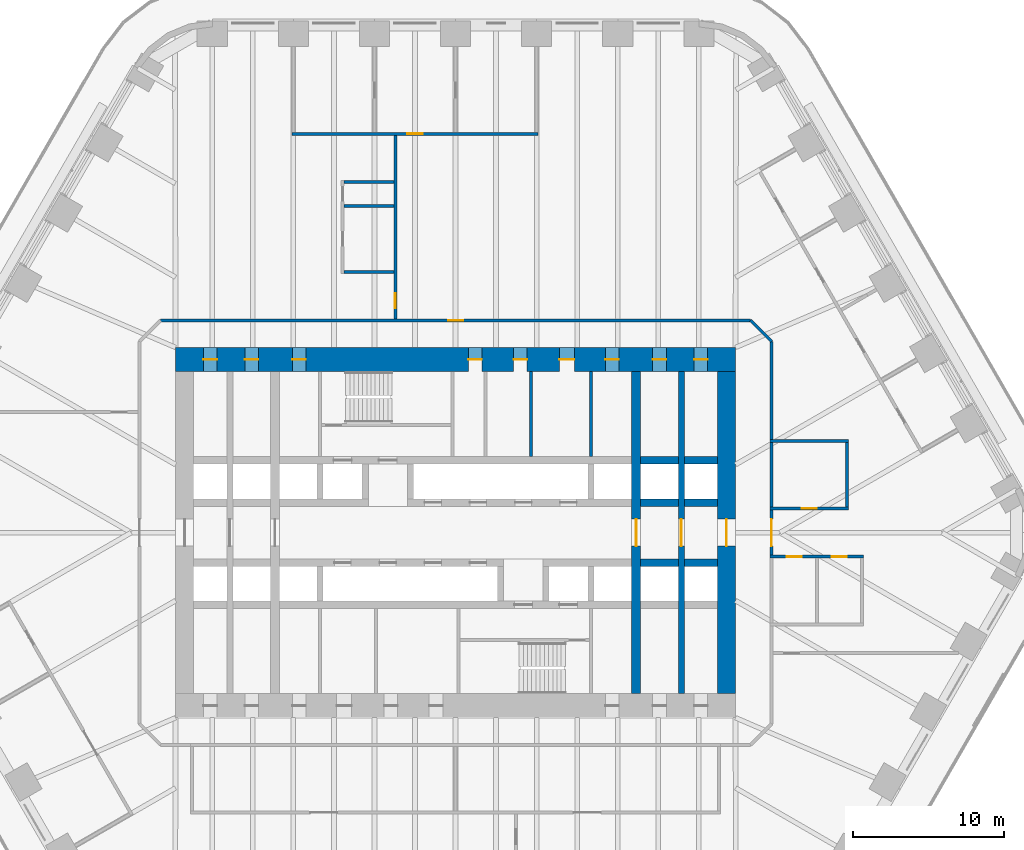
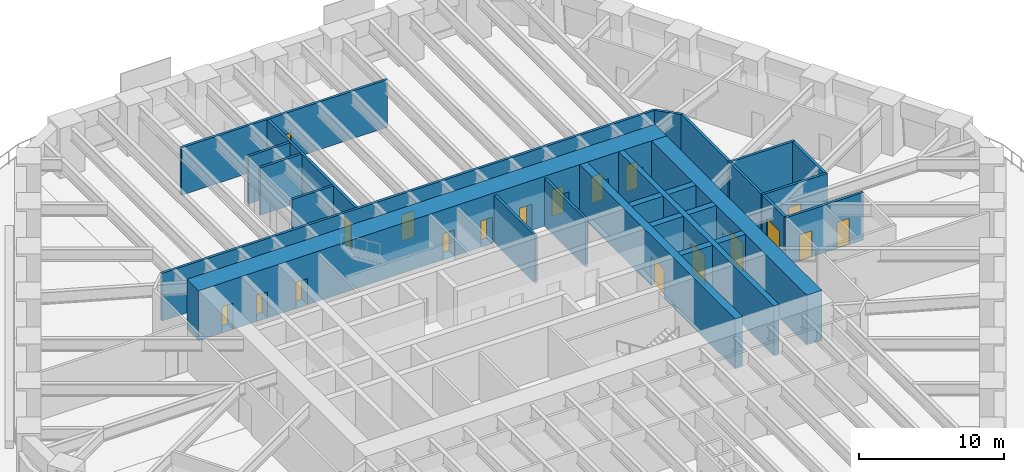
# One storey, part 19 of 24: 26 walls, 19 doors, 19 openings.
"""IFC4 building model written with IfcOpenShell, lengths in metres."""

from ifc_helpers import new_model, si_unit, direction, frame, frame_2d, origin, place, context, subcontext, project, spatial, rectangle, extrude, material, layer, layer_set, type_object, element, fill, save


model = new_model("IFC4")

# Units and contexts
model_context = context("Model", 3, precision=1e-05, world=origin(), true_north=direction((0.0, 1.0)))
body_context = subcontext(model_context, "Body", "Model", "MODEL_VIEW")
ifc_project = project(units=[si_unit("LENGTHUNIT", "METRE"), si_unit("AREAUNIT", "SQUARE_METRE"), si_unit("VOLUMEUNIT", "CUBIC_METRE"), si_unit("PLANEANGLEUNIT", "RADIAN"), si_unit("MASSUNIT", "GRAM", prefix="KILO")], contexts=[model_context])

# Site, building, storey
site_placement = place(None, origin())
site = spatial("IfcSite", under=ifc_project, at=site_placement, CompositionType="ELEMENT")
building_placement = place(site_placement, origin())
building = spatial("IfcBuilding", under=site, at=building_placement, Name="Tarfa Lantern Tower", CompositionType="ELEMENT")
storey_placement = place(building_placement, frame((0.0, 0.0, 69.699951171875)))
storey = spatial("IfcBuildingStorey", under=building, at=storey_placement, Name="L15", CompositionType="ELEMENT", Elevation=69.699951171875)

# Walls
ifc_material_1 = material(Name="Concrete blockwork", Category="masonry")
ifc_layer_1 = layer(ifc_material_1, 0.199951171875)
ifc_layer_set_1 = layer_set([ifc_layer_1], Name="IW1 BLOCKWORK PARTITION 200 EI 120")
wall_type_1 = type_object("IfcWallType", Name="IW1 BLOCKWORK PARTITION 200 EI 120", PredefinedType="PARTITIONING", material=ifc_layer_set_1)
for number, where, z_axis, x_axis, name in (
    (1, (9.0, 5.050048828125, 0.0), (0.0, 0.0, 1.0), (0.0, 1.0, 0.0), "Core partition"),
    (2, (5.0, 5.050048828125, 0.0), (0.0, 0.0, 1.0), (0.0, 1.0, 0.0), "Core partition"),
):
    element("IfcWall", number, at=place(storey_placement, frame(where, z_axis=z_axis, x_axis=x_axis)), inside=storey, type_object=wall_type_1, Name=name, PredefinedType="PARTITIONING", context=body_context, shape_type="SweptSolid", body=[
        extrude(rectangle(XDim=5.64990234375, YDim=0.199951171875, at=frame_2d((2.824951171875, 0.0))), origin(), (0.0, 0.0, 1.0), 4.0),
    ])

# Wall, opening, door
ifc_material_2 = material(Name="Gypsum board on steel studs", Category="steel")
ifc_layer_2 = layer(ifc_material_2, 0.2099609375)
ifc_layer_set_2 = layer_set([ifc_layer_2], Name="IW2 ACOUSTIC PARTITION 200")
wall_type_2 = type_object("IfcWallType", Name="IW2 ACOUSTIC PARTITION 200", PredefinedType="PARTITIONING", material=ifc_layer_set_2)
wall_1_placement = place(storey_placement, frame((5.488525390625, 26.5, 0.0), z_axis=(0.0, 0.0, 1.0), x_axis=(-1.0, 0.0, 0.0)))
wall_1 = element("IfcWall", 3, at=wall_1_placement, inside=storey, type_object=wall_type_2, Name="Partition", PredefinedType="PARTITIONING", context=body_context, shape_type="SweptSolid", body=[
    extrude(rectangle(XDim=16.36572265625, YDim=0.199951171875, at=frame_2d((8.182861328125, 0.0))), origin(), (0.0, 0.0, 1.0), 4.0),
])
opening_1_placement = place(wall_1_placement, frame((7.682861328125, 0.0, 0.0)))
opening_1 = element("IfcOpeningElement", 4, at=opening_1_placement, cuts=wall_1, Name="Opening D33", PredefinedType="OPENING", context=body_context, shape_type="SweptSolid", body=[
    extrude(rectangle(XDim=1.0, YDim=2.199951171875, at=frame_2d((0.5, 1.10009765625))), frame((0.0, 0.10986328125, 0.0), z_axis=(0.0, -1.0, 0.0), x_axis=(1.0, 0.0, 0.0)), (0.0, 0.0, 1.0), 0.219970703125),
])
ifc_material_3 = material(Name="Timber door", Category="wood")
door_type_1 = type_object("IfcDoorType", Name="DR1 ROOM DOOR 1000x2200", OperationType="SINGLE_SWING_LEFT", PredefinedType="DOOR", material=ifc_material_3)
door_1_placement = place(opening_1_placement, frame((1.0, 0.0, 0.0), z_axis=(0.0, 0.0, 1.0), x_axis=(-1.0, 0.0, 0.0)))
door_1 = element("IfcDoor", 5, at=door_1_placement, inside=storey, type_object=door_type_1, Name="Supplier reception door", OperationType="SINGLE_SWING_LEFT", OverallHeight=2.199951171875, OverallWidth=1.0, PredefinedType="DOOR", context=body_context, shape_type="SweptSolid", body=[
    extrude(rectangle(XDim=1.0, YDim=2.199951171875, at=frame_2d((0.5, 1.10009765625))), frame((0.0, 0.02490234375, 0.0), z_axis=(0.0, -1.0, 0.0), x_axis=(1.0, 0.0, 0.0)), (0.0, 0.0, 1.0), 0.050048828125),
])
fill(opening_1, door_1)

wall_2_placement = place(storey_placement, frame((20.89990234375, 1.60009765625, 0.0), z_axis=(0.0, 0.0, 1.0), x_axis=(1.0, 0.0, 0.0)))
wall_2 = element("IfcWall", 6, at=wall_2_placement, inside=storey, type_object=wall_type_2, Name="Partition", PredefinedType="PARTITIONING", context=body_context, shape_type="SweptSolid", body=[
    extrude(rectangle(XDim=5.2001953125, YDim=0.199951171875, at=frame_2d((2.60009765625, 0.0))), origin(), (0.0, 0.0, 1.0), 4.0),
])
opening_2_placement = place(wall_2_placement, frame((2.10009765625, 0.0, 0.0)))
opening_2 = element("IfcOpeningElement", 7, at=opening_2_placement, cuts=wall_2, Name="Opening D29", PredefinedType="OPENING", context=body_context, shape_type="SweptSolid", body=[
    extrude(rectangle(XDim=1.0, YDim=2.199951171875, at=frame_2d((0.5, 1.10009765625))), frame((0.0, 0.10986328125, 0.0), z_axis=(0.0, -1.0, 0.0), x_axis=(1.0, 0.0, 0.0)), (0.0, 0.0, 1.0), 0.219970703125),
])
door_2_placement = place(opening_2_placement, origin())
door_2 = element("IfcDoor", 8, at=door_2_placement, inside=storey, type_object=door_type_1, Name="Pantry door", OperationType="SINGLE_SWING_RIGHT", OverallHeight=2.199951171875, OverallWidth=1.0, PredefinedType="DOOR", context=body_context, shape_type="SweptSolid", body=[
    extrude(rectangle(XDim=1.0, YDim=2.199951171875, at=frame_2d((0.5, 1.10009765625))), frame((0.0, 0.02490234375, 0.0), z_axis=(0.0, -1.0, 0.0), x_axis=(1.0, 0.0, 0.0)), (0.0, 0.0, 1.0), 0.050048828125),
])
fill(opening_2, door_2)

# Walls
wall_3_placement = place(storey_placement, frame((20.89990234375, 6.10009765625, 0.0), z_axis=(0.0, 0.0, 1.0), x_axis=(1.0, 0.0, 0.0)))
element("IfcWall", 9, at=wall_3_placement, inside=storey, type_object=wall_type_2, Name="Partition", PredefinedType="PARTITIONING", context=body_context, shape_type="SweptSolid", body=[
    extrude(rectangle(XDim=5.2001953125, YDim=0.199951171875, at=frame_2d((2.60009765625, 0.0))), origin(), (0.0, 0.0, 1.0), 4.0),
])
for number, where, z_axis, x_axis, name in (
    (10, (21.0, 1.699951171875, 0.0), (0.0, 0.0, 1.0), (0.0, 1.0, 0.0), "Partition"),
    (11, (26.0, 1.699951171875, 0.0), (0.0, 0.0, 1.0), (0.0, 1.0, 0.0), "Partition"),
):
    element("IfcWall", number, at=place(storey_placement, frame(where, z_axis=z_axis, x_axis=x_axis)), inside=storey, type_object=wall_type_2, Name=name, PredefinedType="PARTITIONING", context=body_context, shape_type="SweptSolid", body=[
        extrude(rectangle(XDim=4.300048828125, YDim=0.199951171875, at=frame_2d((2.14990234375, 0.0))), origin(), (0.0, 0.0, 1.0), 4.0),
    ])

# Wall, openings, doors
wall_4_placement = place(storey_placement, frame((20.89990234375, -1.60009765625, 0.0), z_axis=(0.0, 0.0, 1.0), x_axis=(1.0, 0.0, 0.0)))
wall_4 = element("IfcWall", 12, at=wall_4_placement, inside=storey, type_object=wall_type_2, Name="Partition", PredefinedType="PARTITIONING", context=body_context, shape_type="SweptSolid", body=[
    extrude(rectangle(XDim=6.2001953125, YDim=0.199951171875, at=frame_2d((3.10009765625, 0.0))), origin(), (0.0, 0.0, 1.0), 4.0),
])
opening_3_placement = place(wall_4_placement, frame((1.10009765625, 0.0, 0.0)))
opening_3 = element("IfcOpeningElement", 13, at=opening_3_placement, cuts=wall_4, Name="Opening D30", PredefinedType="OPENING", context=body_context, shape_type="SweptSolid", body=[
    extrude(rectangle(XDim=1.0, YDim=2.199951171875, at=frame_2d((0.5, 1.10009765625))), frame((0.0, 0.10986328125, 0.0), z_axis=(0.0, -1.0, 0.0), x_axis=(1.0, 0.0, 0.0)), (0.0, 0.0, 1.0), 0.219970703125),
])
opening_4_placement = place(wall_4_placement, frame((4.10009765625, 0.0, 0.0)))
opening_4 = element("IfcOpeningElement", 14, at=opening_4_placement, cuts=wall_4, Name="Opening D31", PredefinedType="OPENING", context=body_context, shape_type="SweptSolid", body=[
    extrude(rectangle(XDim=1.0, YDim=2.199951171875, at=frame_2d((0.5, 1.10009765625))), frame((0.0, 0.10986328125, 0.0), z_axis=(0.0, -1.0, 0.0), x_axis=(1.0, 0.0, 0.0)), (0.0, 0.0, 1.0), 0.219970703125),
])
door_3_placement = place(opening_3_placement, frame((1.0, 0.0, 0.0), z_axis=(0.0, 0.0, 1.0), x_axis=(-1.0, 0.0, 0.0)))
door_3 = element("IfcDoor", 15, at=door_3_placement, inside=storey, type_object=door_type_1, Name="Buyer's office door", OperationType="SINGLE_SWING_LEFT", OverallHeight=2.199951171875, OverallWidth=1.0, PredefinedType="DOOR", context=body_context, shape_type="SweptSolid", body=[
    extrude(rectangle(XDim=1.0, YDim=2.199951171875, at=frame_2d((0.5, 1.10009765625))), frame((0.0, 0.02490234375, 0.0), z_axis=(0.0, -1.0, 0.0), x_axis=(1.0, 0.0, 0.0)), (0.0, 0.0, 1.0), 0.050048828125),
])
fill(opening_3, door_3)
door_4_placement = place(opening_4_placement, frame((1.0, 0.0, 0.0), z_axis=(0.0, 0.0, 1.0), x_axis=(-1.0, 0.0, 0.0)))
door_4 = element("IfcDoor", 16, at=door_4_placement, inside=storey, type_object=door_type_1, Name="Buyer's office door", OperationType="SINGLE_SWING_RIGHT", OverallHeight=2.199951171875, OverallWidth=1.0, PredefinedType="DOOR", context=body_context, shape_type="SweptSolid", body=[
    extrude(rectangle(XDim=1.0, YDim=2.199951171875, at=frame_2d((0.5, 1.10009765625))), frame((0.0, 0.02490234375, 0.0), z_axis=(0.0, -1.0, 0.0), x_axis=(1.0, 0.0, 0.0)), (0.0, 0.0, 1.0), 0.050048828125),
])
fill(opening_4, door_4)

# Wall, opening, door
wall_5_placement = place(storey_placement, frame((-19.60009765625, 14.10009765625, 0.0), z_axis=(0.0, 0.0, 1.0), x_axis=(1.0, 0.0, 0.0)))
wall_5 = element("IfcWall", 17, at=wall_5_placement, inside=storey, type_object=wall_type_2, Name="Partition", PredefinedType="PARTITIONING", context=body_context, shape_type="SweptSolid", body=[
    extrude(rectangle(XDim=39.2001953125, YDim=0.199951171875, at=frame_2d((19.60009765625, 0.0))), origin(), (0.0, 0.0, 1.0), 4.0),
])
opening_5_placement = place(wall_5_placement, frame((19.10009765625, 0.0, 0.0)))
opening_5 = element("IfcOpeningElement", 18, at=opening_5_placement, cuts=wall_5, Name="Opening D48", PredefinedType="OPENING", context=body_context, shape_type="SweptSolid", body=[
    extrude(rectangle(XDim=1.0, YDim=2.199951171875, at=frame_2d((0.5, 1.10009765625))), frame((0.0, 0.10986328125, 0.0), z_axis=(0.0, -1.0, 0.0), x_axis=(1.0, 0.0, 0.0)), (0.0, 0.0, 1.0), 0.219970703125),
])
door_5_placement = place(opening_5_placement, origin())
door_5 = element("IfcDoor", 19, at=door_5_placement, inside=storey, type_object=door_type_1, Name="Corridor door", OperationType="SINGLE_SWING_RIGHT", OverallHeight=2.199951171875, OverallWidth=1.0, PredefinedType="DOOR", context=body_context, shape_type="SweptSolid", body=[
    extrude(rectangle(XDim=1.0, YDim=2.199951171875, at=frame_2d((0.5, 1.10009765625))), frame((0.0, 0.02490234375, 0.0), z_axis=(0.0, -1.0, 0.0), x_axis=(1.0, 0.0, 0.0)), (0.0, 0.0, 1.0), 0.050048828125),
])
fill(opening_5, door_5)

# Wall
wall_6_placement = place(storey_placement, frame((19.60009765625, 14.10009765625, 0.0), z_axis=(0.0, 0.0, 1.0), x_axis=(0.707045124756, -0.707168432242, 0.0)))
element("IfcWall", 20, at=wall_6_placement, inside=storey, type_object=wall_type_2, Name="Partition", PredefinedType="PARTITIONING", context=body_context, shape_type="SweptSolid", body=[
    extrude(rectangle(XDim=1.97998046875, YDim=0.199951171875, at=frame_2d((0.989990234375, 0.0))), origin(), (0.0, 0.0, 1.0), 4.0),
])

# Wall, opening, door
wall_7_placement = place(storey_placement, frame((21.0, 1.4990234375, 0.0), z_axis=(0.0, 0.0, 1.0), x_axis=(0.0, -1.0, 0.0)))
wall_7 = element("IfcWall", 21, at=wall_7_placement, inside=storey, type_object=wall_type_2, Name="Partition", PredefinedType="PARTITIONING", context=body_context, shape_type="SweptSolid", body=[
    extrude(rectangle(XDim=2.998046875, YDim=0.199951171875, at=frame_2d((1.4990234375, 0.0))), origin(), (0.0, 0.0, 1.0), 4.0),
])
opening_6_placement = place(wall_7_placement, frame((0.59912109375, 0.0, 0.0)))
opening_6 = element("IfcOpeningElement", 22, at=opening_6_placement, cuts=wall_7, Name="Opening D47", PredefinedType="OPENING", context=body_context, shape_type="SweptSolid", body=[
    extrude(rectangle(XDim=1.800048828125, YDim=2.39990234375, at=frame_2d((0.89990234375, 1.199951171875))), frame((0.0, 0.10986328125, 0.0), z_axis=(0.0, -1.0, 0.0), x_axis=(1.0, 0.0, 0.0)), (0.0, 0.0, 1.0), 0.219970703125),
])
door_type_2 = type_object("IfcDoorType", Name="DR2 ROOM DOOR 1800x2400", OperationType="DOUBLE_DOOR_SINGLE_SWING", PredefinedType="DOOR", material=ifc_material_3)
door_6_placement = place(opening_6_placement, origin())
door_6 = element("IfcDoor", 23, at=door_6_placement, inside=storey, type_object=door_type_2, Name="Corridor door", OperationType="DOUBLE_DOOR_SINGLE_SWING", OverallHeight=2.39990234375, OverallWidth=1.800048828125, PredefinedType="DOOR", context=body_context, shape_type="SweptSolid", body=[
    extrude(rectangle(XDim=1.800048828125, YDim=2.39990234375, at=frame_2d((0.89990234375, 1.199951171875))), frame((0.0, 0.02490234375, 0.0), z_axis=(0.0, -1.0, 0.0), x_axis=(1.0, 0.0, 0.0)), (0.0, 0.0, 1.0), 0.050048828125),
])
fill(opening_6, door_6)

# Wall
wall_8_placement = place(storey_placement, frame((21.0, 12.699951171875, 0.0), z_axis=(0.0, 0.0, 1.0), x_axis=(0.0, -1.0, 0.0)))
element("IfcWall", 24, at=wall_8_placement, inside=storey, type_object=wall_type_2, Name="Partition", PredefinedType="PARTITIONING", context=body_context, shape_type="SweptSolid", body=[
    extrude(rectangle(XDim=6.4990234375, YDim=0.199951171875, at=frame_2d((3.24951171875, 0.0))), origin(), (0.0, 0.0, 1.0), 4.0),
])

# Wall, opening, door
wall_9_placement = place(storey_placement, frame((-4.0, 14.199951171875, 0.0), z_axis=(0.0, 0.0, 1.0), x_axis=(0.0, 1.0, 0.0)))
wall_9 = element("IfcWall", 25, at=wall_9_placement, inside=storey, type_object=wall_type_2, Name="Partition", PredefinedType="PARTITIONING", context=body_context, shape_type="SweptSolid", body=[
    extrude(rectangle(XDim=12.199951171875, YDim=0.199951171875, at=frame_2d((6.10009765625, 0.0))), origin(), (0.0, 0.0, 1.0), 4.0),
])
opening_7_placement = place(wall_9_placement, frame((0.719970703125, 0.0, 0.0)))
opening_7 = element("IfcOpeningElement", 26, at=opening_7_placement, cuts=wall_9, Name="Opening D51", PredefinedType="OPENING", context=body_context, shape_type="SweptSolid", body=[
    extrude(rectangle(XDim=1.0, YDim=2.199951171875, at=frame_2d((0.5, 1.10009765625))), frame((0.0, 0.10986328125, 0.0), z_axis=(0.0, -1.0, 0.0), x_axis=(1.0, 0.0, 0.0)), (0.0, 0.0, 1.0), 0.219970703125),
])
door_7_placement = place(opening_7_placement, origin())
door_7 = element("IfcDoor", 27, at=door_7_placement, inside=storey, type_object=door_type_1, Name="Zone door", OperationType="SINGLE_SWING_RIGHT", OverallHeight=2.199951171875, OverallWidth=1.0, PredefinedType="DOOR", context=body_context, shape_type="SweptSolid", body=[
    extrude(rectangle(XDim=1.0, YDim=2.199951171875, at=frame_2d((0.5, 1.10009765625))), frame((0.0, 0.02490234375, 0.0), z_axis=(0.0, -1.0, 0.0), x_axis=(1.0, 0.0, 0.0)), (0.0, 0.0, 1.0), 0.050048828125),
])
fill(opening_7, door_7)

# Walls
for number, where, z_axis, x_axis, name in (
    (28, (-4.10009765625, 17.300048828125, 0.0), (0.0, 0.0, 1.0), (-1.0, 0.0, 0.0), "Partition"),
    (29, (-4.10009765625, 21.699951171875, 0.0), (0.0, 0.0, 1.0), (-1.0, 0.0, 0.0), "Partition"),
    (30, (-4.10009765625, 23.300048828125, 0.0), (0.0, 0.0, 1.0), (-1.0, 0.0, 0.0), "Partition"),
):
    element("IfcWall", number, at=place(storey_placement, frame(where, z_axis=z_axis, x_axis=x_axis)), inside=storey, type_object=wall_type_2, Name=name, PredefinedType="PARTITIONING", context=body_context, shape_type="SweptSolid", body=[
        extrude(rectangle(XDim=3.2998046875, YDim=0.199951171875, at=frame_2d((1.64990234375, 0.0))), origin(), (0.0, 0.0, 1.0), 4.0),
    ])

# Wall, opening, door
ifc_material_4 = material(Name="Concrete C80/95", Category="concrete")
ifc_layer_3 = layer(ifc_material_4, 1.199951171875)
ifc_layer_set_3 = layer_set([ifc_layer_3], Name="SW1 CORE WALL 1200")
wall_type_3 = type_object("IfcWallType", Name="SW1 CORE WALL 1200", PredefinedType="SHEAR", material=ifc_layer_set_3)
wall_10_placement = place(storey_placement, frame((18.0, -10.699951171875, 0.0), z_axis=(0.0, 0.0, 1.0), x_axis=(0.0, 1.0, 0.0)))
wall_10 = element("IfcWall", 31, at=wall_10_placement, inside=storey, type_object=wall_type_3, Name="Core wall E", PredefinedType="SHEAR", context=body_context, shape_type="SweptSolid", body=[
    extrude(rectangle(XDim=21.39990234375, YDim=1.199951171875, at=frame_2d((10.699951171875, 0.0))), origin(), (0.0, 0.0, 1.0), 4.199951171875),
])
opening_8_placement = place(wall_10_placement, frame((9.800048828125, 0.0, 0.0)))
opening_8 = element("IfcOpeningElement", 32, at=opening_8_placement, cuts=wall_10, Name="Opening D15", PredefinedType="OPENING", context=body_context, shape_type="SweptSolid", body=[
    extrude(rectangle(XDim=1.800048828125, YDim=2.39990234375, at=frame_2d((0.89990234375, 1.199951171875))), frame((0.0, 0.60986328125, 0.0), z_axis=(0.0, -1.0, 0.0), x_axis=(1.0, 0.0, 0.0)), (0.0, 0.0, 1.0), 1.219970703125),
])
ifc_material_5 = material(Name="Steel fire door", Category="steel")
door_type_3 = type_object("IfcDoorType", Name="DL1 LOBBY DOOR 1800x2400", OperationType="DOUBLE_DOOR_SINGLE_SWING", PredefinedType="DOOR", material=ifc_material_5)
door_8_placement = place(opening_8_placement, frame((1.800048828125, 0.0, 0.0), z_axis=(0.0, 0.0, 1.0), x_axis=(-1.0, 0.0, 0.0)))
door_8 = element("IfcDoor", 33, at=door_8_placement, inside=storey, type_object=door_type_3, Name="Lift lobby door", OperationType="DOUBLE_DOOR_SINGLE_SWING", OverallHeight=2.39990234375, OverallWidth=1.800048828125, PredefinedType="DOOR", context=body_context, shape_type="SweptSolid", body=[
    extrude(rectangle(XDim=1.800048828125, YDim=2.39990234375, at=frame_2d((0.89990234375, 1.199951171875))), frame((0.0, 0.02490234375, 0.0), z_axis=(0.0, -1.0, 0.0), x_axis=(1.0, 0.0, 0.0)), (0.0, 0.0, 1.0), 0.050048828125),
])
fill(opening_8, door_8)

# Walls
ifc_layer_4 = layer(ifc_material_4, 0.5)
ifc_layer_set_4 = layer_set([ifc_layer_4], Name="SW5 CORE WALL 500")
wall_type_4 = type_object("IfcWallType", Name="SW5 CORE WALL 500", PredefinedType="SHEAR", material=ifc_layer_set_4)
wall_11_placement = place(storey_placement, frame((12.300048828125, 2.0, 0.0), z_axis=(0.0, 0.0, 1.0), x_axis=(1.0, 0.0, 0.0)))
element("IfcWall", 34, at=wall_11_placement, inside=storey, type_object=wall_type_4, Name="Core wall lobby east N", PredefinedType="SHEAR", context=body_context, shape_type="SweptSolid", body=[
    extrude(rectangle(XDim=2.5, YDim=0.5, at=frame_2d((1.25, 0.0))), origin(), (0.0, 0.0, 1.0), 4.199951171875),
])
wall_12_placement = place(storey_placement, frame((15.199951171875, 2.0, 0.0), z_axis=(0.0, 0.0, 1.0), x_axis=(1.0, 0.0, 0.0)))
element("IfcWall", 35, at=wall_12_placement, inside=storey, type_object=wall_type_4, Name="Core wall lobby east N", PredefinedType="SHEAR", context=body_context, shape_type="SweptSolid", body=[
    extrude(rectangle(XDim=2.199951171875, YDim=0.5, at=frame_2d((1.10009765625, 0.0))), origin(), (0.0, 0.0, 1.0), 4.199951171875),
])
wall_13_placement = place(storey_placement, frame((12.300048828125, 4.800048828125, 0.0), z_axis=(0.0, 0.0, 1.0), x_axis=(1.0, 0.0, 0.0)))
element("IfcWall", 36, at=wall_13_placement, inside=storey, type_object=wall_type_4, Name="Core wall rear N", PredefinedType="SHEAR", context=body_context, shape_type="SweptSolid", body=[
    extrude(rectangle(XDim=2.5, YDim=0.5, at=frame_2d((1.25, 0.0))), origin(), (0.0, 0.0, 1.0), 4.199951171875),
])
for number, where, z_axis, x_axis, name in (
    (37, (15.199951171875, 4.800048828125, 0.0), (0.0, 0.0, 1.0), (1.0, 0.0, 0.0), "Core wall rear N"),
    (38, (17.39990234375, -2.0, 0.0), (0.0, 0.0, 1.0), (-1.0, 0.0, 0.0), "Core wall lobby west S"),
):
    element("IfcWall", number, at=place(storey_placement, frame(where, z_axis=z_axis, x_axis=x_axis)), inside=storey, type_object=wall_type_4, Name=name, PredefinedType="SHEAR", context=body_context, shape_type="SweptSolid", body=[
        extrude(rectangle(XDim=2.199951171875, YDim=0.5, at=frame_2d((1.10009765625, 0.0))), origin(), (0.0, 0.0, 1.0), 4.199951171875),
    ])
wall_14_placement = place(storey_placement, frame((14.800048828125, -2.0, 0.0), z_axis=(0.0, 0.0, 1.0), x_axis=(-1.0, 0.0, 0.0)))
element("IfcWall", 39, at=wall_14_placement, inside=storey, type_object=wall_type_4, Name="Core wall lobby west S", PredefinedType="SHEAR", context=body_context, shape_type="SweptSolid", body=[
    extrude(rectangle(XDim=2.5, YDim=0.5, at=frame_2d((1.25, 0.0))), origin(), (0.0, 0.0, 1.0), 4.199951171875),
])

# Wall, opening, door
ifc_layer_5 = layer(ifc_material_4, 0.39990234375)
ifc_layer_set_5 = layer_set([ifc_layer_5], Name="SW6 CORE WALL 400")
wall_type_5 = type_object("IfcWallType", Name="SW6 CORE WALL 400", PredefinedType="SHEAR", material=ifc_layer_set_5)
wall_15_placement = place(storey_placement, frame((15.0, -10.699951171875, 0.0), z_axis=(0.0, 0.0, 1.0), x_axis=(0.0, 1.0, 0.0)))
wall_15 = element("IfcWall", 40, at=wall_15_placement, inside=storey, type_object=wall_type_5, Name="Core wall cross 15 m east", PredefinedType="SHEAR", context=body_context, shape_type="SweptSolid", body=[
    extrude(rectangle(XDim=21.39990234375, YDim=0.39990234375, at=frame_2d((10.699951171875, 0.0))), origin(), (0.0, 0.0, 1.0), 4.199951171875),
])
opening_9_placement = place(wall_15_placement, frame((9.800048828125, 0.0, 0.0)))
opening_9 = element("IfcOpeningElement", 41, at=opening_9_placement, cuts=wall_15, Name="Opening D26", PredefinedType="OPENING", context=body_context, shape_type="SweptSolid", body=[
    extrude(rectangle(XDim=1.800048828125, YDim=2.39990234375, at=frame_2d((0.89990234375, 1.199951171875))), frame((0.0, 0.2099609375, 0.0), z_axis=(0.0, -1.0, 0.0), x_axis=(1.0, 0.0, 0.0)), (0.0, 0.0, 1.0), 0.419921875),
])
door_9_placement = place(opening_9_placement, origin())
door_9 = element("IfcDoor", 42, at=door_9_placement, inside=storey, type_object=door_type_3, Name="Lift lobby door", OperationType="DOUBLE_DOOR_SINGLE_SWING", OverallHeight=2.39990234375, OverallWidth=1.800048828125, PredefinedType="DOOR", context=body_context, shape_type="SweptSolid", body=[
    extrude(rectangle(XDim=1.800048828125, YDim=2.39990234375, at=frame_2d((0.89990234375, 1.199951171875))), frame((0.0, 0.02490234375, 0.0), z_axis=(0.0, -1.0, 0.0), x_axis=(1.0, 0.0, 0.0)), (0.0, 0.0, 1.0), 0.050048828125),
])
fill(opening_9, door_9)

# Wall, openings, doors
ifc_layer_6 = layer(ifc_material_4, 1.60009765625)
ifc_layer_set_6 = layer_set([ifc_layer_6], Name="SW7 CORE WALL 1600")
wall_type_6 = type_object("IfcWallType", Name="SW7 CORE WALL 1600", PredefinedType="SHEAR", material=ifc_layer_set_6)
wall_16_placement = place(storey_placement, frame((-18.60009765625, 11.5, 0.0), z_axis=(0.0, 0.0, 1.0), x_axis=(1.0, 0.0, 0.0)))
wall_16 = element("IfcWall", 43, at=wall_16_placement, inside=storey, type_object=wall_type_6, Name="Core wall N", PredefinedType="SHEAR", context=body_context, shape_type="SweptSolid", body=[
    extrude(rectangle(XDim=37.2001953125, YDim=1.60009765625, at=frame_2d((18.60009765625, 0.0))), origin(), (0.0, 0.0, 1.0), 4.199951171875),
])
opening_10_placement = place(wall_16_placement, frame((19.449951171875, 0.0, 0.0)))
opening_10 = element("IfcOpeningElement", 44, at=opening_10_placement, cuts=wall_16, Name="Opening D17", PredefinedType="OPENING", context=body_context, shape_type="SweptSolid", body=[
    extrude(rectangle(XDim=0.89990234375, YDim=2.199951171875, at=frame_2d((0.449951171875, 1.10009765625))), frame((0.0, 0.81005859375, 0.0), z_axis=(0.0, -1.0, 0.0), x_axis=(1.0, 0.0, 0.0)), (0.0, 0.0, 1.0), 1.6201171875),
])
opening_11_placement = place(wall_16_placement, frame((22.449951171875, 0.0, 0.0)))
opening_11 = element("IfcOpeningElement", 45, at=opening_11_placement, cuts=wall_16, Name="Opening D19", PredefinedType="OPENING", context=body_context, shape_type="SweptSolid", body=[
    extrude(rectangle(XDim=0.89990234375, YDim=2.199951171875, at=frame_2d((0.449951171875, 1.10009765625))), frame((0.0, 0.81005859375, 0.0), z_axis=(0.0, -1.0, 0.0), x_axis=(1.0, 0.0, 0.0)), (0.0, 0.0, 1.0), 1.6201171875),
])
opening_12_placement = place(wall_16_placement, frame((25.5, 0.0, 0.0)))
opening_12 = element("IfcOpeningElement", 46, at=opening_12_placement, cuts=wall_16, Name="Opening D21", PredefinedType="OPENING", context=body_context, shape_type="SweptSolid", body=[
    extrude(rectangle(XDim=1.0, YDim=2.199951171875, at=frame_2d((0.5, 1.10009765625))), frame((0.0, 0.81005859375, 0.0), z_axis=(0.0, -1.0, 0.0), x_axis=(1.0, 0.0, 0.0)), (0.0, 0.0, 1.0), 1.6201171875),
])
opening_13_placement = place(wall_16_placement, frame((1.85009765625, 0.0, 0.0)))
opening_13 = element("IfcOpeningElement", 47, at=opening_13_placement, cuts=wall_16, Name="Opening D11", PredefinedType="OPENING", context=body_context, shape_type="SweptSolid", body=[
    extrude(rectangle(XDim=0.89990234375, YDim=2.199951171875, at=frame_2d((0.449951171875, 1.10009765625))), frame((0.0, 0.81005859375, 0.0), z_axis=(0.0, -1.0, 0.0), x_axis=(1.0, 0.0, 0.0)), (0.0, 0.0, 1.0), 1.6201171875),
])
opening_14_placement = place(wall_16_placement, frame((4.60009765625, 0.0, 0.0)))
opening_14 = element("IfcOpeningElement", 48, at=opening_14_placement, cuts=wall_16, Name="Opening D07", PredefinedType="OPENING", context=body_context, shape_type="SweptSolid", body=[
    extrude(rectangle(XDim=0.89990234375, YDim=2.199951171875, at=frame_2d((0.449951171875, 1.10009765625))), frame((0.0, 0.81005859375, 0.0), z_axis=(0.0, -1.0, 0.0), x_axis=(1.0, 0.0, 0.0)), (0.0, 0.0, 1.0), 1.6201171875),
])
opening_15_placement = place(wall_16_placement, frame((7.75, 0.0, 0.0)))
opening_15 = element("IfcOpeningElement", 49, at=opening_15_placement, cuts=wall_16, Name="Opening D09", PredefinedType="OPENING", context=body_context, shape_type="SweptSolid", body=[
    extrude(rectangle(XDim=0.89990234375, YDim=2.199951171875, at=frame_2d((0.449951171875, 1.10009765625))), frame((0.0, 0.81005859375, 0.0), z_axis=(0.0, -1.0, 0.0), x_axis=(1.0, 0.0, 0.0)), (0.0, 0.0, 1.0), 1.6201171875),
])
opening_16_placement = place(wall_16_placement, frame((28.550048828125, 0.0, 0.0)))
opening_16 = element("IfcOpeningElement", 50, at=opening_16_placement, cuts=wall_16, Name="Opening D05", PredefinedType="OPENING", context=body_context, shape_type="SweptSolid", body=[
    extrude(rectangle(XDim=0.89990234375, YDim=2.199951171875, at=frame_2d((0.449951171875, 1.10009765625))), frame((0.0, 0.81005859375, 0.0), z_axis=(0.0, -1.0, 0.0), x_axis=(1.0, 0.0, 0.0)), (0.0, 0.0, 1.0), 1.6201171875),
])
opening_17_placement = place(wall_16_placement, frame((31.699951171875, 0.0, 0.0)))
opening_17 = element("IfcOpeningElement", 51, at=opening_17_placement, cuts=wall_16, Name="Opening D01", PredefinedType="OPENING", context=body_context, shape_type="SweptSolid", body=[
    extrude(rectangle(XDim=0.89990234375, YDim=2.199951171875, at=frame_2d((0.449951171875, 1.10009765625))), frame((0.0, 0.81005859375, 0.0), z_axis=(0.0, -1.0, 0.0), x_axis=(1.0, 0.0, 0.0)), (0.0, 0.0, 1.0), 1.6201171875),
])
opening_18_placement = place(wall_16_placement, frame((34.449951171875, 0.0, 0.0)))
opening_18 = element("IfcOpeningElement", 52, at=opening_18_placement, cuts=wall_16, Name="Opening D03", PredefinedType="OPENING", context=body_context, shape_type="SweptSolid", body=[
    extrude(rectangle(XDim=0.89990234375, YDim=2.199951171875, at=frame_2d((0.449951171875, 1.10009765625))), frame((0.0, 0.81005859375, 0.0), z_axis=(0.0, -1.0, 0.0), x_axis=(1.0, 0.0, 0.0)), (0.0, 0.0, 1.0), 1.6201171875),
])
door_type_4 = type_object("IfcDoorType", Name="DF3 CORE ROOM DOOR 900x2200", OperationType="SINGLE_SWING_LEFT", PredefinedType="DOOR", material=ifc_material_5)
door_10_placement = place(opening_10_placement, frame((0.89990234375, 0.0, 0.0), z_axis=(0.0, 0.0, 1.0), x_axis=(-1.0, 0.0, 0.0)))
door_10 = element("IfcDoor", 53, at=door_10_placement, inside=storey, type_object=door_type_4, Name="Core door", OperationType="SINGLE_SWING_RIGHT", OverallHeight=2.199951171875, OverallWidth=0.89990234375, PredefinedType="DOOR", context=body_context, shape_type="SweptSolid", body=[
    extrude(rectangle(XDim=0.89990234375, YDim=2.199951171875, at=frame_2d((0.449951171875, 1.10009765625))), frame((0.0, 0.02490234375, 0.0), z_axis=(0.0, -1.0, 0.0), x_axis=(1.0, 0.0, 0.0)), (0.0, 0.0, 1.0), 0.050048828125),
])
fill(opening_10, door_10)
door_11_placement = place(opening_11_placement, frame((0.89990234375, 0.0, 0.0), z_axis=(0.0, 0.0, 1.0), x_axis=(-1.0, 0.0, 0.0)))
door_11 = element("IfcDoor", 54, at=door_11_placement, inside=storey, type_object=door_type_4, Name="Core door", OperationType="SINGLE_SWING_RIGHT", OverallHeight=2.199951171875, OverallWidth=0.89990234375, PredefinedType="DOOR", context=body_context, shape_type="SweptSolid", body=[
    extrude(rectangle(XDim=0.89990234375, YDim=2.199951171875, at=frame_2d((0.449951171875, 1.10009765625))), frame((0.0, 0.02490234375, 0.0), z_axis=(0.0, -1.0, 0.0), x_axis=(1.0, 0.0, 0.0)), (0.0, 0.0, 1.0), 0.050048828125),
])
fill(opening_11, door_11)
door_type_5 = type_object("IfcDoorType", Name="DF4 CORE ROOM DOOR 1000x2200", OperationType="SINGLE_SWING_LEFT", PredefinedType="DOOR", material=ifc_material_5)
door_12_placement = place(opening_12_placement, frame((1.0, 0.0, 0.0), z_axis=(0.0, 0.0, 1.0), x_axis=(-1.0, 0.0, 0.0)))
door_12 = element("IfcDoor", 55, at=door_12_placement, inside=storey, type_object=door_type_5, Name="Core door", OperationType="SINGLE_SWING_RIGHT", OverallHeight=2.199951171875, OverallWidth=1.0, PredefinedType="DOOR", context=body_context, shape_type="SweptSolid", body=[
    extrude(rectangle(XDim=1.0, YDim=2.199951171875, at=frame_2d((0.5, 1.10009765625))), frame((0.0, 0.02490234375, 0.0), z_axis=(0.0, -1.0, 0.0), x_axis=(1.0, 0.0, 0.0)), (0.0, 0.0, 1.0), 0.050048828125),
])
fill(opening_12, door_12)
door_type_6 = type_object("IfcDoorType", Name="DF5 RISER DOOR 900x2200", OperationType="SINGLE_SWING_LEFT", PredefinedType="DOOR", material=ifc_material_5)
door_13_placement = place(opening_13_placement, frame((0.89990234375, 0.0, 0.0), z_axis=(0.0, 0.0, 1.0), x_axis=(-1.0, 0.0, 0.0)))
door_13 = element("IfcDoor", 56, at=door_13_placement, inside=storey, type_object=door_type_6, Name="Riser door", OperationType="SINGLE_SWING_LEFT", OverallHeight=2.199951171875, OverallWidth=0.89990234375, PredefinedType="DOOR", context=body_context, shape_type="SweptSolid", body=[
    extrude(rectangle(XDim=0.89990234375, YDim=2.199951171875, at=frame_2d((0.449951171875, 1.10009765625))), frame((0.0, 0.02490234375, 0.0), z_axis=(0.0, -1.0, 0.0), x_axis=(1.0, 0.0, 0.0)), (0.0, 0.0, 1.0), 0.050048828125),
])
fill(opening_13, door_13)
door_14_placement = place(opening_14_placement, frame((0.89990234375, 0.0, 0.0), z_axis=(0.0, 0.0, 1.0), x_axis=(-1.0, 0.0, 0.0)))
door_14 = element("IfcDoor", 57, at=door_14_placement, inside=storey, type_object=door_type_6, Name="Riser door", OperationType="SINGLE_SWING_LEFT", OverallHeight=2.199951171875, OverallWidth=0.89990234375, PredefinedType="DOOR", context=body_context, shape_type="SweptSolid", body=[
    extrude(rectangle(XDim=0.89990234375, YDim=2.199951171875, at=frame_2d((0.449951171875, 1.10009765625))), frame((0.0, 0.02490234375, 0.0), z_axis=(0.0, -1.0, 0.0), x_axis=(1.0, 0.0, 0.0)), (0.0, 0.0, 1.0), 0.050048828125),
])
fill(opening_14, door_14)
door_15_placement = place(opening_15_placement, frame((0.89990234375, 0.0, 0.0), z_axis=(0.0, 0.0, 1.0), x_axis=(-1.0, 0.0, 0.0)))
door_15 = element("IfcDoor", 58, at=door_15_placement, inside=storey, type_object=door_type_6, Name="Riser door", OperationType="SINGLE_SWING_LEFT", OverallHeight=2.199951171875, OverallWidth=0.89990234375, PredefinedType="DOOR", context=body_context, shape_type="SweptSolid", body=[
    extrude(rectangle(XDim=0.89990234375, YDim=2.199951171875, at=frame_2d((0.449951171875, 1.10009765625))), frame((0.0, 0.02490234375, 0.0), z_axis=(0.0, -1.0, 0.0), x_axis=(1.0, 0.0, 0.0)), (0.0, 0.0, 1.0), 0.050048828125),
])
fill(opening_15, door_15)
door_16_placement = place(opening_16_placement, frame((0.89990234375, 0.0, 0.0), z_axis=(0.0, 0.0, 1.0), x_axis=(-1.0, 0.0, 0.0)))
door_16 = element("IfcDoor", 59, at=door_16_placement, inside=storey, type_object=door_type_6, Name="Riser door", OperationType="SINGLE_SWING_RIGHT", OverallHeight=2.199951171875, OverallWidth=0.89990234375, PredefinedType="DOOR", context=body_context, shape_type="SweptSolid", body=[
    extrude(rectangle(XDim=0.89990234375, YDim=2.199951171875, at=frame_2d((0.449951171875, 1.10009765625))), frame((0.0, 0.02490234375, 0.0), z_axis=(0.0, -1.0, 0.0), x_axis=(1.0, 0.0, 0.0)), (0.0, 0.0, 1.0), 0.050048828125),
])
fill(opening_16, door_16)
door_17_placement = place(opening_17_placement, frame((0.89990234375, 0.0, 0.0), z_axis=(0.0, 0.0, 1.0), x_axis=(-1.0, 0.0, 0.0)))
door_17 = element("IfcDoor", 60, at=door_17_placement, inside=storey, type_object=door_type_6, Name="Riser door", OperationType="SINGLE_SWING_RIGHT", OverallHeight=2.199951171875, OverallWidth=0.89990234375, PredefinedType="DOOR", context=body_context, shape_type="SweptSolid", body=[
    extrude(rectangle(XDim=0.89990234375, YDim=2.199951171875, at=frame_2d((0.449951171875, 1.10009765625))), frame((0.0, 0.02490234375, 0.0), z_axis=(0.0, -1.0, 0.0), x_axis=(1.0, 0.0, 0.0)), (0.0, 0.0, 1.0), 0.050048828125),
])
fill(opening_17, door_17)
door_18_placement = place(opening_18_placement, frame((0.89990234375, 0.0, 0.0), z_axis=(0.0, 0.0, 1.0), x_axis=(-1.0, 0.0, 0.0)))
door_18 = element("IfcDoor", 61, at=door_18_placement, inside=storey, type_object=door_type_6, Name="Riser door", OperationType="SINGLE_SWING_RIGHT", OverallHeight=2.199951171875, OverallWidth=0.89990234375, PredefinedType="DOOR", context=body_context, shape_type="SweptSolid", body=[
    extrude(rectangle(XDim=0.89990234375, YDim=2.199951171875, at=frame_2d((0.449951171875, 1.10009765625))), frame((0.0, 0.02490234375, 0.0), z_axis=(0.0, -1.0, 0.0), x_axis=(1.0, 0.0, 0.0)), (0.0, 0.0, 1.0), 0.050048828125),
])
fill(opening_18, door_18)

# Wall, opening, door
ifc_layer_7 = layer(ifc_material_4, 0.60009765625)
ifc_layer_set_7 = layer_set([ifc_layer_7], Name="SW9 CORE WALL 600")
wall_type_7 = type_object("IfcWallType", Name="SW9 CORE WALL 600", PredefinedType="SHEAR", material=ifc_layer_set_7)
wall_17_placement = place(storey_placement, frame((12.0, -10.699951171875, 0.0), z_axis=(0.0, 0.0, 1.0), x_axis=(0.0, 1.0, 0.0)))
wall_17 = element("IfcWall", 62, at=wall_17_placement, inside=storey, type_object=wall_type_7, Name="Core wall cross 12 m east", PredefinedType="SHEAR", context=body_context, shape_type="SweptSolid", body=[
    extrude(rectangle(XDim=21.39990234375, YDim=0.60009765625, at=frame_2d((10.699951171875, 0.0))), origin(), (0.0, 0.0, 1.0), 4.199951171875),
])
opening_19_placement = place(wall_17_placement, frame((9.800048828125, 0.0, 0.0)))
opening_19 = element("IfcOpeningElement", 63, at=opening_19_placement, cuts=wall_17, Name="Opening D25", PredefinedType="OPENING", context=body_context, shape_type="SweptSolid", body=[
    extrude(rectangle(XDim=1.800048828125, YDim=2.39990234375, at=frame_2d((0.89990234375, 1.199951171875))), frame((0.0, 0.31005859375, 0.0), z_axis=(0.0, -1.0, 0.0), x_axis=(1.0, 0.0, 0.0)), (0.0, 0.0, 1.0), 0.6201171875),
])
door_19_placement = place(opening_19_placement, origin())
door_19 = element("IfcDoor", 64, at=door_19_placement, inside=storey, type_object=door_type_3, Name="Lift lobby door", OperationType="DOUBLE_DOOR_SINGLE_SWING", OverallHeight=2.39990234375, OverallWidth=1.800048828125, PredefinedType="DOOR", context=body_context, shape_type="SweptSolid", body=[
    extrude(rectangle(XDim=1.800048828125, YDim=2.39990234375, at=frame_2d((0.89990234375, 1.199951171875))), frame((0.0, 0.02490234375, 0.0), z_axis=(0.0, -1.0, 0.0), x_axis=(1.0, 0.0, 0.0)), (0.0, 0.0, 1.0), 0.050048828125),
])
fill(opening_19, door_19)

save(model, "model.ifc")
